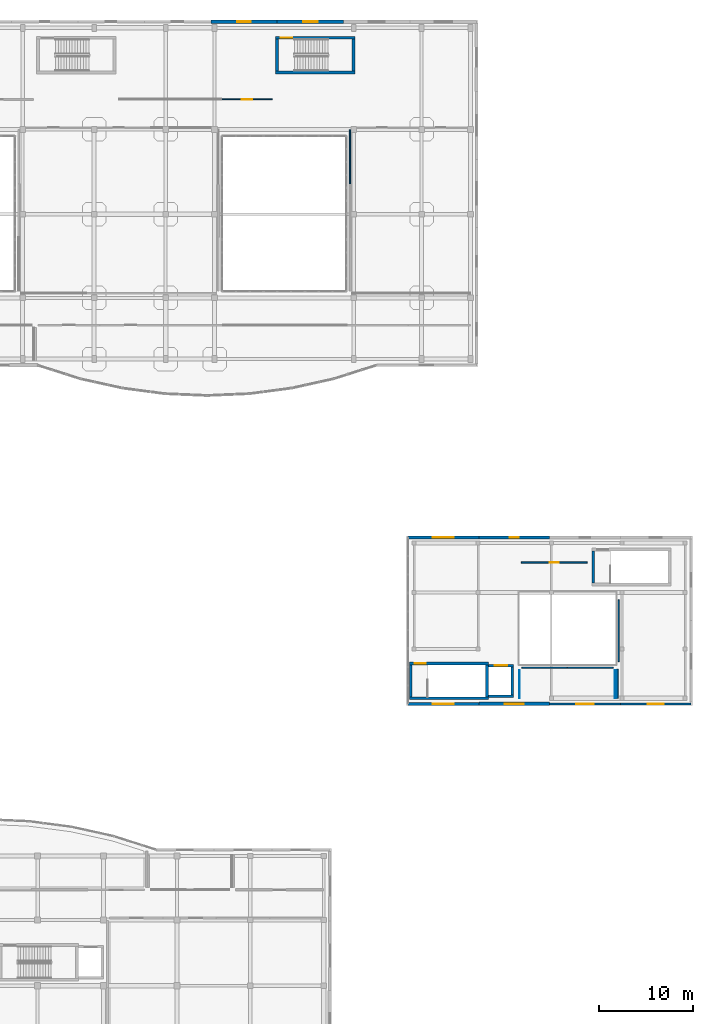
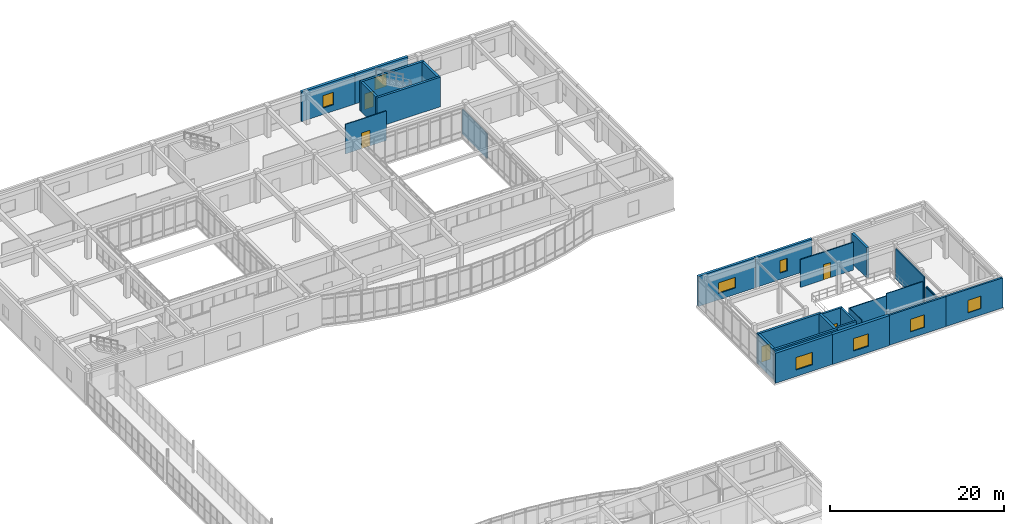
# One storey, part 127 of 142: 29 walls, 8 windows, 5 doors, 13 openings.
"""IFC4 building model written with IfcOpenShell, lengths in metres."""

from ifc_helpers import new_model, si_unit, direction, frame, frame_2d, origin, place, context, subcontext, project, spatial, rectangle, extrude, material, layer, layer_set, type_object, element, fill, save


model = new_model("IFC4")

# Units and contexts
model_context = context("Model", 3, precision=1e-05, world=origin(), true_north=direction((0.0, 1.0)))
body_context = subcontext(model_context, "Body", "Model", "MODEL_VIEW")
ifc_project = project(units=[si_unit("LENGTHUNIT", "METRE"), si_unit("AREAUNIT", "SQUARE_METRE"), si_unit("VOLUMEUNIT", "CUBIC_METRE"), si_unit("PLANEANGLEUNIT", "RADIAN"), si_unit("MASSUNIT", "GRAM", prefix="KILO")], contexts=[model_context])

# Site, building, storey
site_placement = place(None, origin())
site = spatial("IfcSite", under=ifc_project, at=site_placement, CompositionType="ELEMENT")
building_placement = place(site_placement, origin())
building = spatial("IfcBuilding", under=site, at=building_placement, Name="Valcora Specialist Clinic", CompositionType="ELEMENT")
storey_placement = place(building_placement, frame((0.0, 0.0, 5.10009765625)))
storey = spatial("IfcBuildingStorey", under=building, at=storey_placement, Name="L01", CompositionType="ELEMENT", Elevation=5.10009765625)

# Wall
ifc_material_1 = material(Name="Concrete C40/50", Category="concrete")
ifc_layer_1 = layer(ifc_material_1, 0.300048828125)
ifc_layer_set_1 = layer_set([ifc_layer_1], Name="Concrete C40/50")
wall_type_1 = type_object("IfcWallType", Name="TY-WL-CR300", PredefinedType="SHEAR", material=ifc_layer_set_1)
wall_1_placement = place(storey_placement, frame((131.89990234375, 38.75, 0.0), z_axis=(0.0, 0.0, 1.0), x_axis=(1.0, 0.0, 0.0)))
element("IfcWall", 1, at=wall_1_placement, inside=storey, type_object=wall_type_1, Name="Core shear wall WL-CR-C-V3A-L01-S", PredefinedType="SHEAR", context=body_context, shape_type="SweptSolid", body=[
    extrude(rectangle(XDim=8.420166015625, YDim=0.300048828125, at=frame_2d((4.2099609375, 0.0))), origin(), (0.0, 0.0, 1.0), 4.205322265625),
])

# Wall, opening, door
wall_2_placement = place(storey_placement, frame((131.89990234375, 42.449951171875, 0.0), z_axis=(0.0, 0.0, 1.0), x_axis=(1.0, 0.0, 0.0)))
wall_2 = element("IfcWall", 2, at=wall_2_placement, inside=storey, type_object=wall_type_1, Name="Core shear wall WL-CR-C-V3A-L01-N", PredefinedType="SHEAR", context=body_context, shape_type="SweptSolid", body=[
    extrude(rectangle(XDim=8.420166015625, YDim=0.300048828125, at=frame_2d((4.2099609375, 0.0))), origin(), (0.0, 0.0, 1.0), 4.205322265625),
])
opening_1_placement = place(wall_2_placement, frame((0.550048828125, 0.0, 0.0)))
opening_1 = element("IfcOpeningElement", 3, at=opening_1_placement, cuts=wall_2, Name="Opening DR-FD-120", PredefinedType="OPENING", context=body_context, shape_type="SweptSolid", body=[
    extrude(rectangle(XDim=1.199951171875, YDim=2.199951171875, at=frame_2d((0.60009765625, 1.10009765625))), frame((0.0, 0.159912109375, 0.0), z_axis=(0.0, -1.0, 0.0), x_axis=(1.0, 0.0, 0.0)), (0.0, 0.0, 1.0), 0.320068359375),
])
ifc_material_2 = material(Name="Galvanized Hollow Metal Door Steel ASTM A653", Category="steel")
door_type_1 = type_object("IfcDoorType", Name="TY-DR-ST120", OperationType="NOTDEFINED", PredefinedType="DOOR", material=ifc_material_2)
door_1_placement = place(opening_1_placement, origin())
door_1 = element("IfcDoor", 4, at=door_1_placement, inside=storey, type_object=door_type_1, Name="Exit stair fire door C-V3A L01", OperationType="SINGLE_SWING_RIGHT", OverallHeight=2.199951171875, OverallWidth=1.199951171875, PredefinedType="DOOR", context=body_context, shape_type="SweptSolid", body=[
    extrude(rectangle(XDim=1.199951171875, YDim=2.199951171875, at=frame_2d((0.60009765625, 1.10009765625))), frame((0.0, 0.02490234375, 0.0), z_axis=(0.0, -1.0, 0.0), x_axis=(1.0, 0.0, 0.0)), (0.0, 0.0, 1.0), 0.050048828125),
])
fill(opening_1, door_1)

# Walls
for number, where, z_axis, x_axis, name in (
    (5, (132.050048828125, 38.902099609375, 0.0), (0.0, 0.0, 1.0), (0.0, 1.0, 0.0), "Core shear wall WL-CR-C-V3A-L01-W"),
    (6, (151.449951171875, 51.001953125, 0.0), (0.0, 0.0, 1.0), (0.0, 1.0, 0.0), "Core shear wall WL-CR-C-V3B-L01-W"),
):
    element("IfcWall", number, at=place(storey_placement, frame(where, z_axis=z_axis, x_axis=x_axis)), inside=storey, type_object=wall_type_1, Name=name, PredefinedType="SHEAR", context=body_context, shape_type="SweptSolid", body=[
        extrude(rectangle(XDim=3.39599609375, YDim=0.300048828125, at=frame_2d((1.697998046875, 0.0))), origin(), (0.0, 0.0, 1.0), 4.205322265625),
    ])
wall_3_placement = place(storey_placement, frame((117.699951171875, 105.25, 0.0), z_axis=(0.0, 0.0, 1.0), x_axis=(1.0, 0.0, 0.0)))
element("IfcWall", 7, at=wall_3_placement, inside=storey, type_object=wall_type_1, Name="Core shear wall WL-CR-C-V4C-L01-S", PredefinedType="SHEAR", context=body_context, shape_type="SweptSolid", body=[
    extrude(rectangle(XDim=8.420166015625, YDim=0.300048828125, at=frame_2d((4.2099609375, 0.0))), origin(), (0.0, 0.0, 1.0), 4.14501953125),
])

# Wall, opening, door
wall_4_placement = place(storey_placement, frame((117.699951171875, 108.949951171875, 0.0), z_axis=(0.0, 0.0, 1.0), x_axis=(1.0, 0.0, 0.0)))
wall_4 = element("IfcWall", 8, at=wall_4_placement, inside=storey, type_object=wall_type_1, Name="Core shear wall WL-CR-C-V4C-L01-N", PredefinedType="SHEAR", context=body_context, shape_type="SweptSolid", body=[
    extrude(rectangle(XDim=8.420166015625, YDim=0.300048828125, at=frame_2d((4.2099609375, 0.0))), origin(), (0.0, 0.0, 1.0), 4.14501953125),
])
opening_2_placement = place(wall_4_placement, frame((0.550048828125, 0.0, 0.0)))
opening_2 = element("IfcOpeningElement", 9, at=opening_2_placement, cuts=wall_4, Name="Opening DR-FD-120", PredefinedType="OPENING", context=body_context, shape_type="SweptSolid", body=[
    extrude(rectangle(XDim=1.199951171875, YDim=2.199951171875, at=frame_2d((0.60009765625, 1.10009765625))), frame((0.0, 0.159912109375, 0.0), z_axis=(0.0, -1.0, 0.0), x_axis=(1.0, 0.0, 0.0)), (0.0, 0.0, 1.0), 0.320068359375),
])
door_2_placement = place(opening_2_placement, origin())
door_2 = element("IfcDoor", 10, at=door_2_placement, inside=storey, type_object=door_type_1, Name="Exit stair fire door C-V4C L01", OperationType="SINGLE_SWING_LEFT", OverallHeight=2.199951171875, OverallWidth=1.199951171875, PredefinedType="DOOR", context=body_context, shape_type="SweptSolid", body=[
    extrude(rectangle(XDim=1.199951171875, YDim=2.199951171875, at=frame_2d((0.60009765625, 1.10009765625))), frame((0.0, 0.02490234375, 0.0), z_axis=(0.0, -1.0, 0.0), x_axis=(1.0, 0.0, 0.0)), (0.0, 0.0, 1.0), 0.050048828125),
])
fill(opening_2, door_2)

# Walls
wall_5_placement = place(storey_placement, frame((117.85009765625, 105.402099609375, 0.0), z_axis=(0.0, 0.0, 1.0), x_axis=(0.0, 1.0, 0.0)))
element("IfcWall", 11, at=wall_5_placement, inside=storey, type_object=wall_type_1, Name="Core shear wall WL-CR-C-V4C-L01-W", PredefinedType="SHEAR", context=body_context, shape_type="SweptSolid", body=[
    extrude(rectangle(XDim=3.39599609375, YDim=0.300048828125, at=frame_2d((1.697998046875, 0.0))), origin(), (0.0, 0.0, 1.0), 4.14501953125),
])
ifc_layer_2 = layer(ifc_material_1, 0.320068359375)
ifc_layer_set_2 = layer_set([ifc_layer_2], Name="Concrete C40/50")
wall_type_2 = type_object("IfcWallType", Name="TY-WL-CR320", PredefinedType="SHEAR", material=ifc_layer_set_2)
wall_6_placement = place(storey_placement, frame((140.159912109375, 38.902099609375, 0.0), z_axis=(0.0, 0.0, 1.0), x_axis=(0.0, 1.0, 0.0)))
element("IfcWall", 12, at=wall_6_placement, inside=storey, type_object=wall_type_2, Name="Core shear wall WL-CR-C-V3A-L01-E", PredefinedType="SHEAR", context=body_context, shape_type="SweptSolid", body=[
    extrude(rectangle(XDim=3.39599609375, YDim=0.320068359375, at=frame_2d((1.697998046875, 0.0))), origin(), (0.0, 0.0, 1.0), 4.205322265625),
])
wall_7_placement = place(storey_placement, frame((125.9599609375, 105.402099609375, 0.0), z_axis=(0.0, 0.0, 1.0), x_axis=(0.0, 1.0, 0.0)))
element("IfcWall", 13, at=wall_7_placement, inside=storey, type_object=wall_type_2, Name="Core shear wall WL-CR-C-V4C-L01-E", PredefinedType="SHEAR", context=body_context, shape_type="SweptSolid", body=[
    extrude(rectangle(XDim=3.39599609375, YDim=0.320068359375, at=frame_2d((1.697998046875, 0.0))), origin(), (0.0, 0.0, 1.0), 4.14501953125),
])

# Wall, opening, window
ifc_material_3 = material(Name="Extruded Jalisco Clay Brick Masonry", Category="masonry")
ifc_layer_3 = layer(ifc_material_3, 0.235107421875)
ifc_layer_set_3 = layer_set([ifc_layer_3], Name="Extruded Jalisco Clay Brick Masonry")
wall_type_3 = type_object("IfcWallType", Name="TY-WL-EW235", PredefinedType="SOLIDWALL", material=ifc_layer_set_3)
wall_8_placement = place(storey_placement, frame((154.324951171875, 38.14990234375, 0.0), z_axis=(0.0, 0.0, 1.0), x_axis=(-1.0, 0.0, 0.0)))
wall_8 = element("IfcWall", 14, at=wall_8_placement, inside=storey, type_object=wall_type_3, Name="Exterior wall WL-EXT-L01-0120", PredefinedType="SOLIDWALL", context=body_context, shape_type="SweptSolid", body=[
    extrude(rectangle(XDim=7.52490234375, YDim=0.235107421875, at=frame_2d((3.762451171875, 0.0))), origin(), (0.0, 0.0, 1.0), 4.205322265625),
])
opening_3_placement = place(wall_8_placement, frame((2.8369140625, 0.0, 0.89990234375)))
opening_3 = element("IfcOpeningElement", 15, at=opening_3_placement, cuts=wall_8, Name="Opening WN-17", PredefinedType="OPENING", context=body_context, shape_type="SweptSolid", body=[
    extrude(rectangle(XDim=1.85009765625, YDim=1.75, at=frame_2d((0.925048828125, 0.875))), frame((0.0, 0.12744140625, 0.0), z_axis=(0.0, -1.0, 0.0), x_axis=(1.0, 0.0, 0.0)), (0.0, 0.0, 1.0), 0.255126953125),
])
ifc_material_4 = material(Name="Low-E Laminated Insulating Glass", Category="glass")
window_type_1 = type_object("IfcWindowType", Name="TY-WN-17", PartitioningType="SINGLE_PANEL", PredefinedType="WINDOW", material=ifc_material_4)
window_1_placement = place(opening_3_placement, origin())
window_1 = element("IfcWindow", 16, at=window_1_placement, inside=storey, type_object=window_type_1, Name="Facade window WN-L01-0101", OverallHeight=1.75, OverallWidth=1.85009765625, PartitioningType="SINGLE_PANEL", PredefinedType="WINDOW", context=body_context, shape_type="SweptSolid", body=[
    extrude(rectangle(XDim=1.85009765625, YDim=1.75, at=frame_2d((0.925048828125, 0.875))), frame((0.0, 0.030029296875, 0.0), z_axis=(0.0, -1.0, 0.0), x_axis=(1.0, 0.0, 0.0)), (0.0, 0.0, 1.0), 0.06005859375),
])
fill(opening_3, window_1)

ifc_layer_4 = layer(ifc_material_3, 0.25)
ifc_layer_set_4 = layer_set([ifc_layer_4], Name="Extruded Jalisco Clay Brick Masonry")
wall_type_4 = type_object("IfcWallType", Name="TY-WL-EW250", PredefinedType="SOLIDWALL", material=ifc_layer_set_4)
wall_9_placement = place(storey_placement, frame((161.85009765625, 38.14990234375, 0.0), z_axis=(0.0, 0.0, 1.0), x_axis=(-1.0, 0.0, 0.0)))
wall_9 = element("IfcWall", 17, at=wall_9_placement, inside=storey, type_object=wall_type_4, Name="Exterior wall WL-EXT-L01-0119", PredefinedType="SOLIDWALL", context=body_context, shape_type="SweptSolid", body=[
    extrude(rectangle(XDim=7.525146484375, YDim=0.25, at=frame_2d((3.7626953125, 0.0))), origin(), (0.0, 0.0, 1.0), 4.205322265625),
])
opening_4_placement = place(wall_9_placement, frame((2.9130859375, 0.0, 0.89990234375)))
opening_4 = element("IfcOpeningElement", 18, at=opening_4_placement, cuts=wall_9, Name="Opening WN-16", PredefinedType="OPENING", context=body_context, shape_type="SweptSolid", body=[
    extrude(rectangle(XDim=1.699951171875, YDim=1.75, at=frame_2d((0.85009765625, 0.875))), frame((0.0, 0.135009765625, 0.0), z_axis=(0.0, -1.0, 0.0), x_axis=(1.0, 0.0, 0.0)), (0.0, 0.0, 1.0), 0.27001953125),
])
window_type_2 = type_object("IfcWindowType", Name="TY-WN-16", PartitioningType="SINGLE_PANEL", PredefinedType="WINDOW", material=ifc_material_4)
window_2_placement = place(opening_4_placement, origin())
window_2 = element("IfcWindow", 19, at=window_2_placement, inside=storey, type_object=window_type_2, Name="Facade window WN-L01-0100", OverallHeight=1.75, OverallWidth=1.699951171875, PartitioningType="SINGLE_PANEL", PredefinedType="WINDOW", context=body_context, shape_type="SweptSolid", body=[
    extrude(rectangle(XDim=1.699951171875, YDim=1.75, at=frame_2d((0.85009765625, 0.875))), frame((0.0, 0.030029296875, 0.0), z_axis=(0.0, -1.0, 0.0), x_axis=(1.0, 0.0, 0.0)), (0.0, 0.0, 1.0), 0.06005859375),
])
fill(opening_4, window_2)

ifc_layer_5 = layer(ifc_material_3, 0.324951171875)
ifc_layer_set_5 = layer_set([ifc_layer_5], Name="Extruded Jalisco Clay Brick Masonry")
wall_type_5 = type_object("IfcWallType", Name="TY-WL-EW325", PredefinedType="SOLIDWALL", material=ifc_layer_set_5)
wall_10_placement = place(storey_placement, frame((139.27490234375, 55.85009765625, 0.0), z_axis=(0.0, 0.0, 1.0), x_axis=(1.0, 0.0, 0.0)))
wall_10 = element("IfcWall", 20, at=wall_10_placement, inside=storey, type_object=wall_type_5, Name="Exterior wall WL-EXT-L01-0114", PredefinedType="SOLIDWALL", context=body_context, shape_type="SweptSolid", body=[
    extrude(rectangle(XDim=7.525146484375, YDim=0.324951171875, at=frame_2d((3.7626953125, 0.0))), origin(), (0.0, 0.0, 1.0), 4.205322265625),
])
opening_5_placement = place(wall_10_placement, frame((3.2880859375, 0.0, 0.89990234375)))
opening_5 = element("IfcOpeningElement", 21, at=opening_5_placement, cuts=wall_10, Name="Opening WN-11", PredefinedType="OPENING", context=body_context, shape_type="SweptSolid", body=[
    extrude(rectangle(XDim=0.949951171875, YDim=1.75, at=frame_2d((0.47509765625, 0.875))), frame((0.0, 0.17236328125, 0.0), z_axis=(0.0, -1.0, 0.0), x_axis=(1.0, 0.0, 0.0)), (0.0, 0.0, 1.0), 0.344970703125),
])
window_type_3 = type_object("IfcWindowType", Name="TY-WN-11", PartitioningType="SINGLE_PANEL", PredefinedType="WINDOW", material=ifc_material_4)
window_3_placement = place(opening_5_placement, origin())
window_3 = element("IfcWindow", 22, at=window_3_placement, inside=storey, type_object=window_type_3, Name="Facade window WN-L01-0095", OverallHeight=1.75, OverallWidth=0.949951171875, PartitioningType="SINGLE_PANEL", PredefinedType="WINDOW", context=body_context, shape_type="SweptSolid", body=[
    extrude(rectangle(XDim=0.949951171875, YDim=1.75, at=frame_2d((0.47509765625, 0.875))), frame((0.0, 0.030029296875, 0.0), z_axis=(0.0, -1.0, 0.0), x_axis=(1.0, 0.0, 0.0)), (0.0, 0.0, 1.0), 0.06005859375),
])
fill(opening_5, window_3)

ifc_layer_6 = layer(ifc_material_3, 0.340087890625)
ifc_layer_set_6 = layer_set([ifc_layer_6], Name="Extruded Jalisco Clay Brick Masonry")
wall_type_6 = type_object("IfcWallType", Name="TY-WL-EW340", PredefinedType="SOLIDWALL", material=ifc_layer_set_6)
wall_11_placement = place(storey_placement, frame((131.75, 55.85009765625, 0.0), z_axis=(0.0, 0.0, 1.0), x_axis=(1.0, 0.0, 0.0)))
wall_11 = element("IfcWall", 23, at=wall_11_placement, inside=storey, type_object=wall_type_6, Name="Exterior wall WL-EXT-L01-0113", PredefinedType="SOLIDWALL", context=body_context, shape_type="SweptSolid", body=[
    extrude(rectangle(XDim=7.52490234375, YDim=0.340087890625, at=frame_2d((3.762451171875, 0.0))), origin(), (0.0, 0.0, 1.0), 4.205322265625),
])
opening_6_placement = place(wall_11_placement, frame((2.637939453125, 0.0, 0.89990234375)))
opening_6 = element("IfcOpeningElement", 24, at=opening_6_placement, cuts=wall_11, Name="Opening WN-10", PredefinedType="OPENING", context=body_context, shape_type="SweptSolid", body=[
    extrude(rectangle(XDim=2.25, YDim=1.5, at=frame_2d((1.125, 0.75))), frame((0.0, 0.179931640625, 0.0), z_axis=(0.0, -1.0, 0.0), x_axis=(1.0, 0.0, 0.0)), (0.0, 0.0, 1.0), 0.360107421875),
])
window_type_4 = type_object("IfcWindowType", Name="TY-WN-10", PartitioningType="SINGLE_PANEL", PredefinedType="WINDOW", material=ifc_material_4)
window_4_placement = place(opening_6_placement, origin())
window_4 = element("IfcWindow", 25, at=window_4_placement, inside=storey, type_object=window_type_4, Name="Facade window WN-L01-0094", OverallHeight=1.5, OverallWidth=2.25, PartitioningType="SINGLE_PANEL", PredefinedType="WINDOW", context=body_context, shape_type="SweptSolid", body=[
    extrude(rectangle(XDim=2.25, YDim=1.5, at=frame_2d((1.125, 0.75))), frame((0.0, 0.030029296875, 0.0), z_axis=(0.0, -1.0, 0.0), x_axis=(1.0, 0.0, 0.0)), (0.0, 0.0, 1.0), 0.06005859375),
])
fill(opening_6, window_4)

ifc_layer_7 = layer(ifc_material_3, 0.35498046875)
ifc_layer_set_7 = layer_set([ifc_layer_7], Name="Extruded Jalisco Clay Brick Masonry")
wall_type_7 = type_object("IfcWallType", Name="TY-WL-EW355", PredefinedType="SOLIDWALL", material=ifc_layer_set_7)
wall_12_placement = place(storey_placement, frame((139.27490234375, 38.14990234375, 0.0), z_axis=(0.0, 0.0, 1.0), x_axis=(-1.0, 0.0, 0.0)))
wall_12 = element("IfcWall", 26, at=wall_12_placement, inside=storey, type_object=wall_type_7, Name="Exterior wall WL-EXT-L01-0122", PredefinedType="SOLIDWALL", context=body_context, shape_type="SweptSolid", body=[
    extrude(rectangle(XDim=7.52490234375, YDim=0.35498046875, at=frame_2d((3.762451171875, 0.0))), origin(), (0.0, 0.0, 1.0), 4.205322265625),
])
opening_7_placement = place(wall_12_placement, frame((2.6630859375, 0.0, 0.89990234375)))
opening_7 = element("IfcOpeningElement", 27, at=opening_7_placement, cuts=wall_12, Name="Opening WN-19", PredefinedType="OPENING", context=body_context, shape_type="SweptSolid", body=[
    extrude(rectangle(XDim=2.199951171875, YDim=1.75, at=frame_2d((1.10009765625, 0.875))), frame((0.0, 0.1875, 0.0), z_axis=(0.0, -1.0, 0.0), x_axis=(1.0, 0.0, 0.0)), (0.0, 0.0, 1.0), 0.375),
])
window_type_5 = type_object("IfcWindowType", Name="TY-WN-19", PartitioningType="SINGLE_PANEL", PredefinedType="WINDOW", material=ifc_material_4)
window_5_placement = place(opening_7_placement, origin())
window_5 = element("IfcWindow", 28, at=window_5_placement, inside=storey, type_object=window_type_5, Name="Facade window WN-L01-0103", OverallHeight=1.75, OverallWidth=2.199951171875, PartitioningType="SINGLE_PANEL", PredefinedType="WINDOW", context=body_context, shape_type="SweptSolid", body=[
    extrude(rectangle(XDim=2.199951171875, YDim=1.75, at=frame_2d((1.10009765625, 0.875))), frame((0.0, 0.030029296875, 0.0), z_axis=(0.0, -1.0, 0.0), x_axis=(1.0, 0.0, 0.0)), (0.0, 0.0, 1.0), 0.06005859375),
])
fill(opening_7, window_5)

wall_13_placement = place(storey_placement, frame((117.859130859375, 110.64990234375, 0.0), z_axis=(0.0, 0.0, 1.0), x_axis=(1.0, 0.0, 0.0)))
wall_13 = element("IfcWall", 29, at=wall_13_placement, inside=storey, type_object=wall_type_7, Name="Exterior wall WL-EXT-L01-0162", PredefinedType="SOLIDWALL", context=body_context, shape_type="SweptSolid", body=[
    extrude(rectangle(XDim=7.0634765625, YDim=0.35498046875, at=frame_2d((3.53173828125, 0.0))), origin(), (0.0, 0.0, 1.0), 4.14501953125),
])
opening_8_placement = place(wall_13_placement, frame((2.757080078125, 0.0, 0.89990234375)))
opening_8 = element("IfcOpeningElement", 30, at=opening_8_placement, cuts=wall_13, Name="Opening WN-15", PredefinedType="OPENING", context=body_context, shape_type="SweptSolid", body=[
    extrude(rectangle(XDim=1.550048828125, YDim=1.75, at=frame_2d((0.77490234375, 0.875))), frame((0.0, 0.1875, 0.0), z_axis=(0.0, -1.0, 0.0), x_axis=(1.0, 0.0, 0.0)), (0.0, 0.0, 1.0), 0.375),
])
window_type_6 = type_object("IfcWindowType", Name="TY-WN-15", PartitioningType="SINGLE_PANEL", PredefinedType="WINDOW", material=ifc_material_4)
window_6_placement = place(opening_8_placement, origin())
window_6 = element("IfcWindow", 31, at=window_6_placement, inside=storey, type_object=window_type_6, Name="Facade window WN-L01-0141", OverallHeight=1.75, OverallWidth=1.550048828125, PartitioningType="SINGLE_PANEL", PredefinedType="WINDOW", context=body_context, shape_type="SweptSolid", body=[
    extrude(rectangle(XDim=1.550048828125, YDim=1.75, at=frame_2d((0.77490234375, 0.875))), frame((0.0, 0.030029296875, 0.0), z_axis=(0.0, -1.0, 0.0), x_axis=(1.0, 0.0, 0.0)), (0.0, 0.0, 1.0), 0.06005859375),
])
fill(opening_8, window_6)

ifc_layer_8 = layer(ifc_material_3, 0.3701171875)
ifc_layer_set_8 = layer_set([ifc_layer_8], Name="Extruded Jalisco Clay Brick Masonry")
wall_type_8 = type_object("IfcWallType", Name="TY-WL-EW370", PredefinedType="SOLIDWALL", material=ifc_layer_set_8)
wall_14_placement = place(storey_placement, frame((146.800048828125, 38.14990234375, 0.0), z_axis=(0.0, 0.0, 1.0), x_axis=(-1.0, 0.0, 0.0)))
wall_14 = element("IfcWall", 32, at=wall_14_placement, inside=storey, type_object=wall_type_8, Name="Exterior wall WL-EXT-L01-0121", PredefinedType="SOLIDWALL", context=body_context, shape_type="SweptSolid", body=[
    extrude(rectangle(XDim=7.525146484375, YDim=0.3701171875, at=frame_2d((3.7626953125, 0.0))), origin(), (0.0, 0.0, 1.0), 4.205322265625),
])
opening_9_placement = place(wall_14_placement, frame((2.762939453125, 0.0, 0.89990234375)))
opening_9 = element("IfcOpeningElement", 33, at=opening_9_placement, cuts=wall_14, Name="Opening WN-18", PredefinedType="OPENING", context=body_context, shape_type="SweptSolid", body=[
    extrude(rectangle(XDim=2.0, YDim=1.75, at=frame_2d((1.0, 0.875))), frame((0.0, 0.195068359375, 0.0), z_axis=(0.0, -1.0, 0.0), x_axis=(1.0, 0.0, 0.0)), (0.0, 0.0, 1.0), 0.39013671875),
])
window_type_7 = type_object("IfcWindowType", Name="TY-WN-18", PartitioningType="SINGLE_PANEL", PredefinedType="WINDOW", material=ifc_material_4)
window_7_placement = place(opening_9_placement, origin())
window_7 = element("IfcWindow", 34, at=window_7_placement, inside=storey, type_object=window_type_7, Name="Facade window WN-L01-0102", OverallHeight=1.75, OverallWidth=2.0, PartitioningType="SINGLE_PANEL", PredefinedType="WINDOW", context=body_context, shape_type="SweptSolid", body=[
    extrude(rectangle(XDim=2.0, YDim=1.75, at=frame_2d((1.0, 0.875))), frame((0.0, 0.030029296875, 0.0), z_axis=(0.0, -1.0, 0.0), x_axis=(1.0, 0.0, 0.0)), (0.0, 0.0, 1.0), 0.06005859375),
])
fill(opening_9, window_7)

wall_15_placement = place(storey_placement, frame((110.79541015625, 110.64990234375, 0.0), z_axis=(0.0, 0.0, 1.0), x_axis=(1.0, 0.0, 0.0)))
wall_15 = element("IfcWall", 35, at=wall_15_placement, inside=storey, type_object=wall_type_8, Name="Exterior wall WL-EXT-L01-0161", PredefinedType="SOLIDWALL", context=body_context, shape_type="SweptSolid", body=[
    extrude(rectangle(XDim=7.063720703125, YDim=0.3701171875, at=frame_2d((3.53173828125, 0.0))), origin(), (0.0, 0.0, 1.0), 4.14501953125),
])
opening_10_placement = place(wall_15_placement, frame((2.83203125, 0.0, 0.89990234375)))
opening_10 = element("IfcOpeningElement", 36, at=opening_10_placement, cuts=wall_15, Name="Opening WN-14", PredefinedType="OPENING", context=body_context, shape_type="SweptSolid", body=[
    extrude(rectangle(XDim=1.39990234375, YDim=1.75, at=frame_2d((0.699951171875, 0.875))), frame((0.0, 0.195068359375, 0.0), z_axis=(0.0, -1.0, 0.0), x_axis=(1.0, 0.0, 0.0)), (0.0, 0.0, 1.0), 0.39013671875),
])
window_type_8 = type_object("IfcWindowType", Name="TY-WN-14", PartitioningType="SINGLE_PANEL", PredefinedType="WINDOW", material=ifc_material_4)
window_8_placement = place(opening_10_placement, origin())
window_8 = element("IfcWindow", 37, at=window_8_placement, inside=storey, type_object=window_type_8, Name="Facade window WN-L01-0140", OverallHeight=1.75, OverallWidth=1.39990234375, PartitioningType="SINGLE_PANEL", PredefinedType="WINDOW", context=body_context, shape_type="SweptSolid", body=[
    extrude(rectangle(XDim=1.39990234375, YDim=1.75, at=frame_2d((0.699951171875, 0.875))), frame((0.0, 0.030029296875, 0.0), z_axis=(0.0, -1.0, 0.0), x_axis=(1.0, 0.0, 0.0)), (0.0, 0.0, 1.0), 0.06005859375),
])
fill(opening_10, window_8)

# Walls
ifc_material_5 = material(Name="Gypsum Board Partition Assembly")
ifc_layer_9 = layer(ifc_material_5, 0.094970703125)
ifc_layer_set_9 = layer_set([ifc_layer_9], Name="Gypsum Board Partition Assembly")
wall_type_9 = type_object("IfcWallType", Name="TY-WL-PT095", PredefinedType="PARTITIONING", material=ifc_layer_set_9)
wall_16_placement = place(storey_placement, frame((143.60009765625, 38.75, 0.0), z_axis=(0.0, 0.0, 1.0), x_axis=(0.0, 1.0, 0.0)))
element("IfcWall", 38, at=wall_16_placement, inside=storey, type_object=wall_type_9, Name="Interior partition WL-INT-L01-0197", PredefinedType="PARTITIONING", context=body_context, shape_type="SweptSolid", body=[
    extrude(rectangle(XDim=3.0, YDim=0.094970703125, at=frame_2d((1.5, 0.0))), origin(), (0.0, 0.0, 1.0), 4.205322265625),
])
ifc_layer_10 = layer(ifc_material_5, 0.10498046875)
ifc_layer_set_10 = layer_set([ifc_layer_10], Name="Gypsum Board Partition Assembly")
wall_type_10 = type_object("IfcWallType", Name="TY-WL-PT105", PredefinedType="PARTITIONING", material=ifc_layer_set_10)
wall_17_placement = place(storey_placement, frame((153.800048828125, 41.75, 0.0), z_axis=(0.0, 0.0, 1.0), x_axis=(0.0, -1.0, 0.0)))
element("IfcWall", 39, at=wall_17_placement, inside=storey, type_object=wall_type_10, Name="Interior partition WL-INT-L01-0196", PredefinedType="PARTITIONING", context=body_context, shape_type="SweptSolid", body=[
    extrude(rectangle(XDim=3.0, YDim=0.10498046875, at=frame_2d((1.5, 0.0))), origin(), (0.0, 0.0, 1.0), 3.455322265625),
])
ifc_layer_11 = layer(ifc_material_5, 0.114990234375)
ifc_layer_set_11 = layer_set([ifc_layer_11], Name="Gypsum Board Partition Assembly")
wall_type_11 = type_object("IfcWallType", Name="TY-WL-PT115", PredefinedType="PARTITIONING", material=ifc_layer_set_11)
wall_18_placement = place(storey_placement, frame((148.699951171875, 42.0, 0.0), z_axis=(0.0, 0.0, 1.0), x_axis=(1.0, 0.0, 0.0)))
element("IfcWall", 40, at=wall_18_placement, inside=storey, type_object=wall_type_11, Name="Interior partition WL-INT-L01-0195", PredefinedType="PARTITIONING", context=body_context, shape_type="SweptSolid", body=[
    extrude(rectangle(XDim=4.85009765625, YDim=0.114990234375, at=frame_2d((2.425048828125, 0.0))), origin(), (0.0, 0.0, 1.0), 4.205322265625),
])

# Wall, opening, door
wall_19_placement = place(storey_placement, frame((117.35009765625, 102.39990234375, 0.0), z_axis=(0.0, 0.0, 1.0), x_axis=(-1.0, 0.0, 0.0)))
wall_19 = element("IfcWall", 41, at=wall_19_placement, inside=storey, type_object=wall_type_11, Name="Interior partition WL-INT-L01-0237", PredefinedType="PARTITIONING", context=body_context, shape_type="SweptSolid", body=[
    extrude(rectangle(XDim=5.43310546875, YDim=0.114990234375, at=frame_2d((2.716552734375, 0.0))), origin(), (0.0, 0.0, 1.0), 4.14501953125),
])
opening_11_placement = place(wall_19_placement, frame((2.14599609375, 0.0, 0.0)))
opening_11 = element("IfcOpeningElement", 42, at=opening_11_placement, cuts=wall_19, Name="Opening DR-CN-114", PredefinedType="OPENING", context=body_context, shape_type="SweptSolid", body=[
    extrude(rectangle(XDim=1.139892578125, YDim=2.199951171875, at=frame_2d((0.56982421875, 1.10009765625))), frame((0.0, 0.0673828125, 0.0), z_axis=(0.0, -1.0, 0.0), x_axis=(1.0, 0.0, 0.0)), (0.0, 0.0, 1.0), 0.135009765625),
])
ifc_material_6 = material(Name="Glulam Conifer Class 24F", Category="wood")
door_type_2 = type_object("IfcDoorType", Name="TY-DR-CN114", OperationType="NOTDEFINED", PredefinedType="DOOR", material=ifc_material_6)
door_3_placement = place(opening_11_placement, origin())
door_3 = element("IfcDoor", 43, at=door_3_placement, inside=storey, type_object=door_type_2, Name="Interior door DR-INT-L01-0066", OperationType="SINGLE_SWING_RIGHT", OverallHeight=2.199951171875, OverallWidth=1.139892578125, PredefinedType="DOOR", context=body_context, shape_type="SweptSolid", body=[
    extrude(rectangle(XDim=1.139892578125, YDim=2.199951171875, at=frame_2d((0.56982421875, 1.10009765625))), frame((0.0, 0.02490234375, 0.0), z_axis=(0.0, -1.0, 0.0), x_axis=(1.0, 0.0, 0.0)), (0.0, 0.0, 1.0), 0.050048828125),
])
fill(opening_11, door_3)

# Walls
ifc_layer_12 = layer(ifc_material_5, 0.125)
ifc_layer_set_12 = layer_set([ifc_layer_12], Name="Gypsum Board Partition Assembly")
wall_type_12 = type_object("IfcWallType", Name="TY-WL-PT125", PredefinedType="PARTITIONING", material=ifc_layer_set_12)
wall_20_placement = place(storey_placement, frame((143.85009765625, 42.0, 0.0), z_axis=(0.0, 0.0, 1.0), x_axis=(1.0, 0.0, 0.0)))
element("IfcWall", 44, at=wall_20_placement, inside=storey, type_object=wall_type_12, Name="Interior partition WL-INT-L01-0194", PredefinedType="PARTITIONING", context=body_context, shape_type="SweptSolid", body=[
    extrude(rectangle(XDim=4.849853515625, YDim=0.125, at=frame_2d((2.4248046875, 0.0))), origin(), (0.0, 0.0, 1.0), 3.89111328125),
])
wall_21_placement = place(storey_placement, frame((125.60009765625, 93.449951171875, 0.0), z_axis=(0.0, 0.0, 1.0), x_axis=(0.0, 1.0, 0.0)))
element("IfcWall", 45, at=wall_21_placement, inside=storey, type_object=wall_type_12, Name="Interior partition WL-INT-L01-0230", PredefinedType="PARTITIONING", context=body_context, shape_type="SweptSolid", body=[
    extrude(rectangle(XDim=5.699951171875, YDim=0.125, at=frame_2d((2.85009765625, 0.0))), origin(), (0.0, 0.0, 1.0), 3.44482421875),
])
ifc_layer_13 = layer(ifc_material_5, 0.135009765625)
ifc_layer_set_13 = layer_set([ifc_layer_13], Name="Gypsum Board Partition Assembly")
wall_type_13 = type_object("IfcWallType", Name="TY-WL-PT135", PredefinedType="PARTITIONING", material=ifc_layer_set_13)
wall_22_placement = place(storey_placement, frame((154.159912109375, 42.64990234375, 0.0), z_axis=(0.0, 0.0, 1.0), x_axis=(0.0, 1.0, 0.0)))
element("IfcWall", 46, at=wall_22_placement, inside=storey, type_object=wall_type_13, Name="Interior partition WL-INT-L01-0193", PredefinedType="PARTITIONING", context=body_context, shape_type="SweptSolid", body=[
    extrude(rectangle(XDim=6.550048828125, YDim=0.135009765625, at=frame_2d((3.27490234375, 0.0))), origin(), (0.0, 0.0, 1.0), 4.205322265625),
])
ifc_layer_14 = layer(ifc_material_5, 0.14501953125)
ifc_layer_set_14 = layer_set([ifc_layer_14], Name="Gypsum Board Partition Assembly")
wall_type_14 = type_object("IfcWallType", Name="TY-WL-PT145", PredefinedType="PARTITIONING", material=ifc_layer_set_14)
wall_23_placement = place(storey_placement, frame((154.0, 38.75, 0.0), z_axis=(0.0, 0.0, 1.0), x_axis=(0.0, 1.0, 0.0)))
element("IfcWall", 47, at=wall_23_placement, inside=storey, type_object=wall_type_14, Name="Interior partition WL-INT-L01-0192", PredefinedType="PARTITIONING", context=body_context, shape_type="SweptSolid", body=[
    extrude(rectangle(XDim=3.10107421875, YDim=0.14501953125, at=frame_2d((1.550537109375, 0.0))), origin(), (0.0, 0.0, 1.0), 3.455322265625),
])

# Wall, opening, door
wall_24_placement = place(storey_placement, frame((150.800048828125, 53.199951171875, 0.0), z_axis=(0.0, 0.0, 1.0), x_axis=(-1.0, 0.0, 0.0)))
wall_24 = element("IfcWall", 48, at=wall_24_placement, inside=storey, type_object=wall_type_14, Name="Interior partition WL-INT-L01-0198", PredefinedType="PARTITIONING", context=body_context, shape_type="SweptSolid", body=[
    extrude(rectangle(XDim=6.989990234375, YDim=0.14501953125, at=frame_2d((3.4951171875, 0.0))), origin(), (0.0, 0.0, 1.0), 3.89111328125),
])
opening_12_placement = place(wall_24_placement, frame((3.034912109375, 0.0, 0.0)))
opening_12 = element("IfcOpeningElement", 49, at=opening_12_placement, cuts=wall_24, Name="Opening DR-WC-092", PredefinedType="OPENING", context=body_context, shape_type="SweptSolid", body=[
    extrude(rectangle(XDim=0.919921875, YDim=2.1201171875, at=frame_2d((0.4599609375, 1.06005859375))), frame((0.0, 0.08251953125, 0.0), z_axis=(0.0, -1.0, 0.0), x_axis=(1.0, 0.0, 0.0)), (0.0, 0.0, 1.0), 0.1650390625),
])
door_type_3 = type_object("IfcDoorType", Name="TY-DR-WC092", OperationType="NOTDEFINED", PredefinedType="DOOR", material=ifc_material_6)
door_4_placement = place(opening_12_placement, origin())
door_4 = element("IfcDoor", 50, at=door_4_placement, inside=storey, type_object=door_type_3, Name="Interior door DR-INT-L01-0056", OperationType="SINGLE_SWING_RIGHT", OverallHeight=2.1201171875, OverallWidth=0.919921875, PredefinedType="DOOR", context=body_context, shape_type="SweptSolid", body=[
    extrude(rectangle(XDim=0.919921875, YDim=2.1201171875, at=frame_2d((0.4599609375, 1.06005859375))), frame((0.0, 0.02490234375, 0.0), z_axis=(0.0, -1.0, 0.0), x_axis=(1.0, 0.0, 0.0)), (0.0, 0.0, 1.0), 0.050048828125),
])
fill(opening_12, door_4)

# Wall
ifc_layer_15 = layer(ifc_material_1, 0.260009765625)
ifc_layer_set_15 = layer_set([ifc_layer_15], Name="Concrete C40/50")
wall_type_15 = type_object("IfcWallType", Name="TY-WL-SH260", PredefinedType="SHEAR", material=ifc_layer_set_15)
wall_25_placement = place(storey_placement, frame((140.322021484375, 38.969970703125, 0.0), z_axis=(0.0, 0.0, 1.0), x_axis=(1.0, 0.0, 0.0)))
element("IfcWall", 51, at=wall_25_placement, inside=storey, type_object=wall_type_15, Name="Lift shaft wall WL-LF-LF-03-L01-LS", PredefinedType="SHEAR", context=body_context, shape_type="SweptSolid", body=[
    extrude(rectangle(XDim=2.657958984375, YDim=0.260009765625, at=frame_2d((1.3291015625, 0.0))), origin(), (0.0, 0.0, 1.0), 4.205322265625),
])

# Wall, opening, door
wall_26_placement = place(storey_placement, frame((140.322021484375, 42.22998046875, 0.0), z_axis=(0.0, 0.0, 1.0), x_axis=(1.0, 0.0, 0.0)))
wall_26 = element("IfcWall", 52, at=wall_26_placement, inside=storey, type_object=wall_type_15, Name="Lift shaft wall WL-LF-LF-03-L01-LN", PredefinedType="SHEAR", context=body_context, shape_type="SweptSolid", body=[
    extrude(rectangle(XDim=2.657958984375, YDim=0.260009765625, at=frame_2d((1.3291015625, 0.0))), origin(), (0.0, 0.0, 1.0), 4.205322265625),
])
opening_13_placement = place(wall_26_placement, frame((0.678955078125, 0.0, 0.0)))
opening_13 = element("IfcOpeningElement", 53, at=opening_13_placement, cuts=wall_26, Name="Opening LD-130", PredefinedType="OPENING", context=body_context, shape_type="SweptSolid", body=[
    extrude(rectangle(XDim=1.300048828125, YDim=2.199951171875, at=frame_2d((0.64990234375, 1.10009765625))), frame((0.0, 0.139892578125, 0.0), z_axis=(0.0, -1.0, 0.0), x_axis=(1.0, 0.0, 0.0)), (0.0, 0.0, 1.0), 0.280029296875),
])
ifc_material_7 = material(Name="Stainless Steel AISI 316", Category="steel")
door_type_4 = type_object("IfcDoorType", Name="TY-LD-130", OperationType="NOTDEFINED", PredefinedType="DOOR", material=ifc_material_7)
door_5_placement = place(opening_13_placement, origin())
door_5 = element("IfcDoor", 54, at=door_5_placement, inside=storey, type_object=door_type_4, Name="Lift landing sliding door LF-03 L01", OperationType="SLIDING_TO_LEFT", OverallHeight=2.199951171875, OverallWidth=1.300048828125, PredefinedType="DOOR", context=body_context, shape_type="SweptSolid", body=[
    extrude(rectangle(XDim=1.300048828125, YDim=2.199951171875, at=frame_2d((0.64990234375, 1.10009765625))), frame((0.0, 0.02490234375, 0.0), z_axis=(0.0, -1.0, 0.0), x_axis=(1.0, 0.0, 0.0)), (0.0, 0.0, 1.0), 0.050048828125),
])
fill(opening_13, door_5)

# Wall
wall_27_placement = place(storey_placement, frame((142.85009765625, 39.10205078125, 0.0), z_axis=(0.0, 0.0, 1.0), x_axis=(0.0, 1.0, 0.0)))
element("IfcWall", 55, at=wall_27_placement, inside=storey, type_object=wall_type_15, Name="Lift shaft wall WL-LF-LF-03-L01-LE", PredefinedType="SHEAR", context=body_context, shape_type="SweptSolid", body=[
    extrude(rectangle(XDim=2.995849609375, YDim=0.260009765625, at=frame_2d((1.498046875, 0.0))), origin(), (0.0, 0.0, 1.0), 4.205322265625),
])

save(model, "model.ifc")
